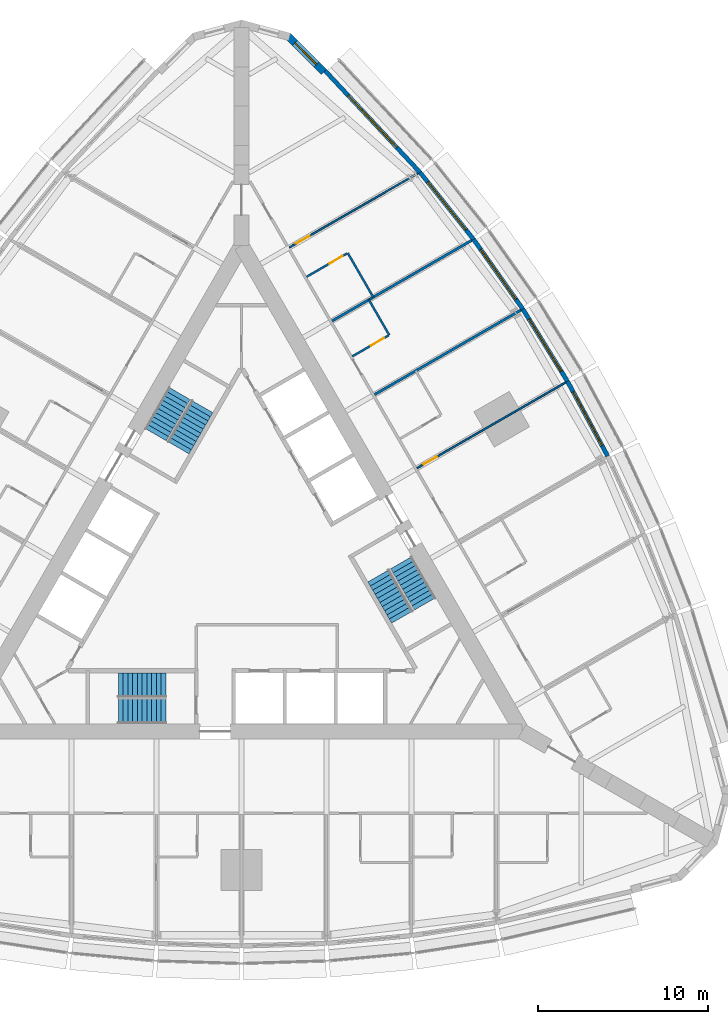
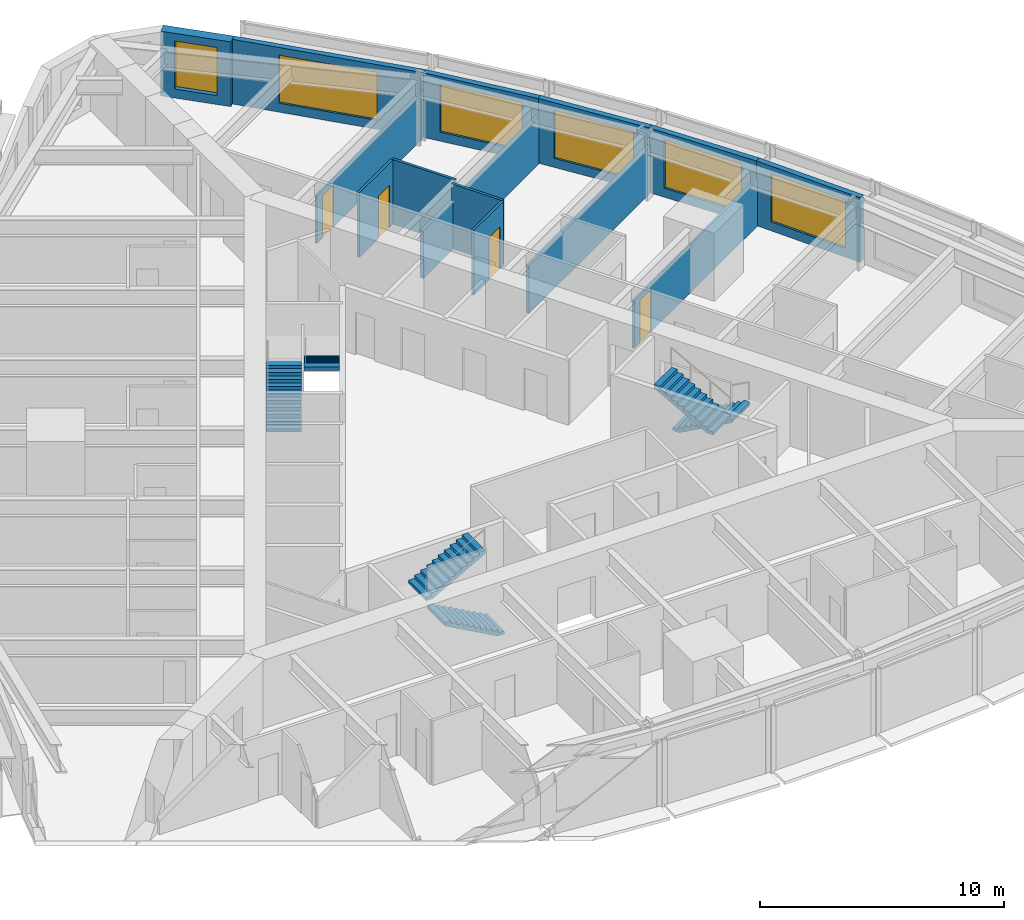
# One storey, part 13 of 14: 14 walls, 6 stair flights, 6 windows, 4 doors, 10 openings, 3 elements without a shape of their own.
"""IFC4 building model written with IfcOpenShell, lengths in metres."""

from ifc_helpers import new_model, si_unit, direction, frame, frame_2d, origin, place, context, subcontext, project, spatial, polyline, rectangle, outline, extrude, material, layer, layer_set, type_object, element, fill, aggregate, save


model = new_model("IFC4")

# Units and contexts
model_context = context("Model", 3, precision=1e-05, world=origin(), true_north=direction((0.0, 1.0)))
body_context = subcontext(model_context, "Body", "Model", "MODEL_VIEW")
ifc_project = project(units=[si_unit("LENGTHUNIT", "METRE"), si_unit("AREAUNIT", "SQUARE_METRE"), si_unit("VOLUMEUNIT", "CUBIC_METRE"), si_unit("PLANEANGLEUNIT", "RADIAN"), si_unit("MASSUNIT", "GRAM", prefix="KILO")], contexts=[model_context])

# Site, building, storey
site_placement = place(None, origin())
site = spatial("IfcSite", under=ifc_project, at=site_placement, CompositionType="ELEMENT")
building_placement = place(site_placement, origin())
building = spatial("IfcBuilding", under=site, at=building_placement, Name="Trikona Tower", CompositionType="ELEMENT")
storey_placement = place(building_placement, frame((0.0, 0.0, 69.300048828125)))
storey = spatial("IfcBuildingStorey", under=building, at=storey_placement, Name="L17", CompositionType="ELEMENT", Elevation=69.300048828125)

# Wall
ifc_material_1 = material(Name="Metal stud and cement board", Category="gypsum")
ifc_layer_1 = layer(ifc_material_1, 0.1201171875)
ifc_layer_set_1 = layer_set([ifc_layer_1], Name="Bathroom wall 120")
wall_type_1 = type_object("IfcWallType", Name="Bathroom wall 120", PredefinedType="PLUMBINGWALL", material=ifc_layer_set_1)
wall_1_placement = place(storey_placement, frame((8.693603515625, 13.794921875, 0.0), z_axis=(0.0, 0.0, 1.0), x_axis=(-0.500077600433, 0.865980596518, 0.0)))
element("IfcWall", 1, at=wall_1_placement, inside=storey, type_object=wall_type_1, Name="Bathroom wall 1710", PredefinedType="PLUMBINGWALL", context=body_context, shape_type="SweptSolid", body=[
    extrude(rectangle(XDim=2.39990234375, YDim=0.1201171875, at=frame_2d((1.199951171875, 0.0))), origin(), (0.0, 0.0, 1.0), 3.23486328125),
])

# Wall, opening, door
wall_2_placement = place(storey_placement, frame((6.528564453125, 12.544921875, 0.0), z_axis=(0.0, 0.0, 1.0), x_axis=(0.866023955769, 0.500002508028, 0.0)))
wall_2 = element("IfcWall", 2, at=wall_2_placement, inside=storey, type_object=wall_type_1, Name="Bathroom wall 1710", PredefinedType="PLUMBINGWALL", context=body_context, shape_type="SweptSolid", body=[
    extrude(rectangle(XDim=2.43994140625, YDim=0.1201171875, at=frame_2d((1.219970703125, 0.0))), origin(), (0.0, 0.0, 1.0), 3.23486328125),
])
opening_1_placement = place(wall_2_placement, frame((1.25, 0.0, 0.0)))
opening_1 = element("IfcOpeningElement", 3, at=opening_1_placement, cuts=wall_2, Name="Opening D2", PredefinedType="OPENING", context=body_context, shape_type="SweptSolid", body=[
    extrude(rectangle(XDim=0.89990234375, YDim=2.1298828125, at=frame_2d((0.449951171875, 1.06494140625))), frame((0.0, 0.070068359375, 0.0), z_axis=(0.0, -1.0, 0.0), x_axis=(1.0, 0.0, 0.0)), (0.0, 0.0, 1.0), 0.14013671875),
])
ifc_material_2 = material(Name="Steel door frame with solid-core timber leaf", Category="steel")
door_type_1 = type_object("IfcDoorType", Name="Bathroom door 900x2130", OperationType="SLIDING_TO_LEFT", PredefinedType="DOOR", material=ifc_material_2)
door_1_placement = place(opening_1_placement, origin())
door_1 = element("IfcDoor", 4, at=door_1_placement, inside=storey, type_object=door_type_1, Name="Bathroom door 1710", OperationType="SLIDING_TO_LEFT", OverallHeight=2.1298828125, OverallWidth=0.89990234375, PredefinedType="DOOR", context=body_context, shape_type="SweptSolid", body=[
    extrude(rectangle(XDim=0.89990234375, YDim=2.1298828125, at=frame_2d((0.449951171875, 1.06494140625))), frame((0.0, 0.02490234375, 0.0), z_axis=(0.0, -1.0, 0.0), x_axis=(1.0, 0.0, 0.0)), (0.0, 0.0, 1.0), 0.050048828125),
])
fill(opening_1, door_1)

# Wall
wall_3_placement = place(storey_placement, frame((7.75341796875, 16.0234375, 0.0), z_axis=(0.0, 0.0, 1.0), x_axis=(-0.499990139034, 0.866031096941, 0.0)))
element("IfcWall", 5, at=wall_3_placement, inside=storey, type_object=wall_type_1, Name="Bathroom wall 1711.1", PredefinedType="PLUMBINGWALL", context=body_context, shape_type="SweptSolid", body=[
    extrude(rectangle(XDim=3.0, YDim=0.1201171875, at=frame_2d((1.5, 0.0))), origin(), (0.0, 0.0, 1.0), 3.23486328125),
])

# Wall, opening, door
wall_4_placement = place(storey_placement, frame((3.82861328125, 17.221435546875, 0.0), z_axis=(0.0, 0.0, 1.0), x_axis=(0.865997131366, 0.500048966069, 0.0)))
wall_4 = element("IfcWall", 6, at=wall_4_placement, inside=storey, type_object=wall_type_1, Name="Bathroom wall 1711.1", PredefinedType="PLUMBINGWALL", context=body_context, shape_type="SweptSolid", body=[
    extrude(rectangle(XDim=2.739990234375, YDim=0.1201171875, at=frame_2d((1.3701171875, 0.0))), origin(), (0.0, 0.0, 1.0), 3.23486328125),
])
opening_2_placement = place(wall_4_placement, frame((1.550048828125, 0.0, 0.0)))
opening_2 = element("IfcOpeningElement", 7, at=opening_2_placement, cuts=wall_4, Name="Opening D2", PredefinedType="OPENING", context=body_context, shape_type="SweptSolid", body=[
    extrude(rectangle(XDim=0.89990234375, YDim=2.1298828125, at=frame_2d((0.449951171875, 1.06494140625))), frame((0.0, 0.070068359375, 0.0), z_axis=(0.0, -1.0, 0.0), x_axis=(1.0, 0.0, 0.0)), (0.0, 0.0, 1.0), 0.14013671875),
])
door_2_placement = place(opening_2_placement, origin())
door_2 = element("IfcDoor", 8, at=door_2_placement, inside=storey, type_object=door_type_1, Name="Bathroom door 1711.1", OperationType="SLIDING_TO_LEFT", OverallHeight=2.1298828125, OverallWidth=0.89990234375, PredefinedType="DOOR", context=body_context, shape_type="SweptSolid", body=[
    extrude(rectangle(XDim=0.89990234375, YDim=2.1298828125, at=frame_2d((0.449951171875, 1.06494140625))), frame((0.0, 0.02490234375, 0.0), z_axis=(0.0, -1.0, 0.0), x_axis=(1.0, 0.0, 0.0)), (0.0, 0.0, 1.0), 0.050048828125),
])
fill(opening_2, door_2)

# Wall, opening, window
ifc_material_3 = material(Name="Brick-faced precast concrete", Category="masonry")
ifc_layer_2 = layer(ifc_material_3, 0.449951171875)
ifc_layer_set_2 = layer_set([ifc_layer_2], Name="Brick-faced corner wall 450")
wall_type_2 = type_object("IfcWallType", Name="Brick-faced corner wall 450", PredefinedType="SOLIDWALL", material=ifc_layer_set_2)
wall_5_placement = place(storey_placement, frame((4.8408203125, 29.285888671875, 0.0), z_axis=(0.0, 0.0, 1.0), x_axis=(-0.707106781187, 0.707106781187, 0.0)))
wall_5 = element("IfcWall", 9, at=wall_5_placement, inside=storey, type_object=wall_type_2, Name="External wall L17-20", PredefinedType="SOLIDWALL", context=body_context, shape_type="SweptSolid", body=[
    extrude(rectangle(XDim=2.98828125, YDim=0.449951171875, at=frame_2d((1.494140625, 0.0))), origin(), (0.0, 0.0, 1.0), 3.23486328125),
])
opening_3_placement = place(wall_5_placement, frame((0.59423828125, 0.0, 0.449951171875)))
opening_3 = element("IfcOpeningElement", 10, at=opening_3_placement, cuts=wall_5, Name="Opening W1824", PredefinedType="OPENING", context=body_context, shape_type="SweptSolid", body=[
    extrude(rectangle(XDim=1.800048828125, YDim=2.39990234375, at=frame_2d((0.89990234375, 1.199951171875))), frame((0.0, 0.23486328125, 0.0), z_axis=(0.0, -1.0, 0.0), x_axis=(1.0, 0.0, 0.0)), (0.0, 0.0, 1.0), 0.469970703125),
])
ifc_material_4 = material(Name="Aluminium-framed double glazing", Category="aluminium")
window_type_1 = type_object("IfcWindowType", Name="Window 1800x2400", PartitioningType="SINGLE_PANEL", PredefinedType="WINDOW", material=ifc_material_4)
window_1_placement = place(opening_3_placement, origin())
window_1 = element("IfcWindow", 11, at=window_1_placement, inside=storey, type_object=window_type_1, Name="Window 1711", OverallHeight=2.39990234375, OverallWidth=1.800048828125, PartitioningType="SINGLE_PANEL", PredefinedType="WINDOW", context=body_context, shape_type="SweptSolid", body=[
    extrude(rectangle(XDim=1.800048828125, YDim=2.39990234375, at=frame_2d((0.89990234375, 1.199951171875))), frame((0.0, 0.030029296875, 0.0), z_axis=(0.0, -1.0, 0.0), x_axis=(1.0, 0.0, 0.0)), (0.0, 0.0, 1.0), 0.06005859375),
])
fill(opening_3, window_1)

ifc_material_5 = material(Name="Insulated precast concrete spandrel panel", Category="concrete")
ifc_layer_3 = layer(ifc_material_5, 0.25)
ifc_layer_set_3 = layer_set([ifc_layer_3], Name="Inner skin wall 250")
wall_type_3 = type_object("IfcWallType", Name="Inner skin wall 250", PredefinedType="STANDARD", material=ifc_layer_set_3)
wall_6_placement = place(storey_placement, frame((21.546630859375, 6.6708984375, 0.0), z_axis=(0.0, 0.0, 1.0), x_axis=(-0.473412820489, 0.880840678782, 0.0)))
wall_6 = element("IfcWall", 12, at=wall_6_placement, inside=storey, type_object=wall_type_3, Name="External wall L17-15", PredefinedType="STANDARD", context=body_context, shape_type="SweptSolid", body=[
    extrude(rectangle(XDim=5.00244140625, YDim=0.25, at=frame_2d((2.501220703125, 0.0))), origin(), (0.0, 0.0, 1.0), 3.23486328125),
])
opening_4_placement = place(wall_6_placement, frame((0.701171875, 0.0, 0.449951171875)))
opening_4 = element("IfcOpeningElement", 13, at=opening_4_placement, cuts=wall_6, Name="Opening W3624", PredefinedType="OPENING", context=body_context, shape_type="SweptSolid", body=[
    extrude(rectangle(XDim=3.60009765625, YDim=2.39990234375, at=frame_2d((1.800048828125, 1.199951171875))), frame((0.0, 0.135009765625, 0.0), z_axis=(0.0, -1.0, 0.0), x_axis=(1.0, 0.0, 0.0)), (0.0, 0.0, 1.0), 0.27001953125),
])
ifc_material_6 = material(Name="Aluminium-framed double glazing", Category="aluminium")
window_type_2 = type_object("IfcWindowType", Name="Window 3600x2400", PartitioningType="SINGLE_PANEL", PredefinedType="WINDOW", material=ifc_material_6)
window_2_placement = place(opening_4_placement, origin())
window_2 = element("IfcWindow", 14, at=window_2_placement, inside=storey, type_object=window_type_2, Name="Window 1709", OverallHeight=2.39990234375, OverallWidth=3.60009765625, PartitioningType="SINGLE_PANEL", PredefinedType="WINDOW", context=body_context, shape_type="SweptSolid", body=[
    extrude(rectangle(XDim=3.60009765625, YDim=2.39990234375, at=frame_2d((1.800048828125, 1.199951171875))), frame((0.0, 0.030029296875, 0.0), z_axis=(0.0, -1.0, 0.0), x_axis=(1.0, 0.0, 0.0)), (0.0, 0.0, 1.0), 0.06005859375),
])
fill(opening_4, window_2)

wall_7_placement = place(storey_placement, frame((19.182373046875, 11.070556640625, 0.0), z_axis=(0.0, 0.0, 1.0), x_axis=(-0.526132807704, 0.850402415717, 0.0)))
wall_7 = element("IfcWall", 15, at=wall_7_placement, inside=storey, type_object=wall_type_3, Name="External wall L17-16", PredefinedType="STANDARD", context=body_context, shape_type="SweptSolid", body=[
    extrude(rectangle(XDim=5.002197265625, YDim=0.25, at=frame_2d((2.5009765625, 0.0))), origin(), (0.0, 0.0, 1.0), 3.23486328125),
])
opening_5_placement = place(wall_7_placement, frame((0.701171875, 0.0, 0.449951171875)))
opening_5 = element("IfcOpeningElement", 16, at=opening_5_placement, cuts=wall_7, Name="Opening W3624", PredefinedType="OPENING", context=body_context, shape_type="SweptSolid", body=[
    extrude(rectangle(XDim=3.60009765625, YDim=2.39990234375, at=frame_2d((1.800048828125, 1.199951171875))), frame((0.0, 0.135009765625, 0.0), z_axis=(0.0, -1.0, 0.0), x_axis=(1.0, 0.0, 0.0)), (0.0, 0.0, 1.0), 0.27001953125),
])
window_3_placement = place(opening_5_placement, origin())
window_3 = element("IfcWindow", 17, at=window_3_placement, inside=storey, type_object=window_type_2, Name="Window 1709.1", OverallHeight=2.39990234375, OverallWidth=3.60009765625, PartitioningType="SINGLE_PANEL", PredefinedType="WINDOW", context=body_context, shape_type="SweptSolid", body=[
    extrude(rectangle(XDim=3.60009765625, YDim=2.39990234375, at=frame_2d((1.800048828125, 1.199951171875))), frame((0.0, 0.030029296875, 0.0), z_axis=(0.0, -1.0, 0.0), x_axis=(1.0, 0.0, 0.0)), (0.0, 0.0, 1.0), 0.06005859375),
])
fill(opening_5, window_3)

wall_8_placement = place(storey_placement, frame((16.5546875, 15.318115234375, 0.0), z_axis=(0.0, 0.0, 1.0), x_axis=(-0.5766431066, 0.81699616132, 0.0)))
wall_8 = element("IfcWall", 18, at=wall_8_placement, inside=storey, type_object=wall_type_3, Name="External wall L17-17", PredefinedType="STANDARD", context=body_context, shape_type="SweptSolid", body=[
    extrude(rectangle(XDim=5.02099609375, YDim=0.25, at=frame_2d((2.510498046875, 0.0))), origin(), (0.0, 0.0, 1.0), 3.23486328125),
])
opening_6_placement = place(wall_8_placement, frame((0.71044921875, 0.0, 0.449951171875)))
opening_6 = element("IfcOpeningElement", 19, at=opening_6_placement, cuts=wall_8, Name="Opening W3624", PredefinedType="OPENING", context=body_context, shape_type="SweptSolid", body=[
    extrude(rectangle(XDim=3.60009765625, YDim=2.39990234375, at=frame_2d((1.800048828125, 1.199951171875))), frame((0.0, 0.135009765625, 0.0), z_axis=(0.0, -1.0, 0.0), x_axis=(1.0, 0.0, 0.0)), (0.0, 0.0, 1.0), 0.27001953125),
])
window_4_placement = place(opening_6_placement, origin())
window_4 = element("IfcWindow", 20, at=window_4_placement, inside=storey, type_object=window_type_2, Name="Window 1710", OverallHeight=2.39990234375, OverallWidth=3.60009765625, PartitioningType="SINGLE_PANEL", PredefinedType="WINDOW", context=body_context, shape_type="SweptSolid", body=[
    extrude(rectangle(XDim=3.60009765625, YDim=2.39990234375, at=frame_2d((1.800048828125, 1.199951171875))), frame((0.0, 0.030029296875, 0.0), z_axis=(0.0, -1.0, 0.0), x_axis=(1.0, 0.0, 0.0)), (0.0, 0.0, 1.0), 0.06005859375),
])
fill(opening_6, window_4)

wall_9_placement = place(storey_placement, frame((13.663818359375, 19.4140625, 0.0), z_axis=(0.0, 0.0, 1.0), x_axis=(-0.624594965756, 0.780948864364, 0.0)))
wall_9 = element("IfcWall", 21, at=wall_9_placement, inside=storey, type_object=wall_type_3, Name="External wall L17-18", PredefinedType="STANDARD", context=body_context, shape_type="SweptSolid", body=[
    extrude(rectangle(XDim=5.0576171875, YDim=0.25, at=frame_2d((2.52880859375, 0.0))), origin(), (0.0, 0.0, 1.0), 3.23486328125),
])
opening_7_placement = place(wall_9_placement, frame((0.728759765625, 0.0, 0.449951171875)))
opening_7 = element("IfcOpeningElement", 22, at=opening_7_placement, cuts=wall_9, Name="Opening W3624", PredefinedType="OPENING", context=body_context, shape_type="SweptSolid", body=[
    extrude(rectangle(XDim=3.60009765625, YDim=2.39990234375, at=frame_2d((1.800048828125, 1.199951171875))), frame((0.0, 0.135009765625, 0.0), z_axis=(0.0, -1.0, 0.0), x_axis=(1.0, 0.0, 0.0)), (0.0, 0.0, 1.0), 0.27001953125),
])
window_5_placement = place(opening_7_placement, origin())
window_5 = element("IfcWindow", 23, at=window_5_placement, inside=storey, type_object=window_type_2, Name="Window 1711.1", OverallHeight=2.39990234375, OverallWidth=3.60009765625, PartitioningType="SINGLE_PANEL", PredefinedType="WINDOW", context=body_context, shape_type="SweptSolid", body=[
    extrude(rectangle(XDim=3.60009765625, YDim=2.39990234375, at=frame_2d((1.800048828125, 1.199951171875))), frame((0.0, 0.030029296875, 0.0), z_axis=(0.0, -1.0, 0.0), x_axis=(1.0, 0.0, 0.0)), (0.0, 0.0, 1.0), 0.06005859375),
])
fill(opening_7, window_5)

wall_10_placement = place(storey_placement, frame((10.510986328125, 23.356689453125, 0.0), z_axis=(0.0, 0.0, 1.0), x_axis=(-0.682289646561, 0.731081964075, 0.0)))
wall_10 = element("IfcWall", 24, at=wall_10_placement, inside=storey, type_object=wall_type_3, Name="External wall L17-19", PredefinedType="STANDARD", context=body_context, shape_type="SweptSolid", body=[
    extrude(rectangle(XDim=8.2109375, YDim=0.25, at=frame_2d((4.10546875, 0.0))), origin(), (0.0, 0.0, 1.0), 3.23486328125),
])
opening_8_placement = place(wall_10_placement, frame((2.005615234375, 0.0, 0.449951171875)))
opening_8 = element("IfcOpeningElement", 25, at=opening_8_placement, cuts=wall_10, Name="Opening W4224", PredefinedType="OPENING", context=body_context, shape_type="SweptSolid", body=[
    extrude(rectangle(XDim=4.199951171875, YDim=2.39990234375, at=frame_2d((2.10009765625, 1.199951171875))), frame((0.0, 0.135009765625, 0.0), z_axis=(0.0, -1.0, 0.0), x_axis=(1.0, 0.0, 0.0)), (0.0, 0.0, 1.0), 0.27001953125),
])
ifc_material_7 = material(Name="Aluminium-framed double glazing", Category="aluminium")
window_type_3 = type_object("IfcWindowType", Name="Window 4200x2400", PartitioningType="SINGLE_PANEL", PredefinedType="WINDOW", material=ifc_material_7)
window_6_placement = place(opening_8_placement, origin())
window_6 = element("IfcWindow", 26, at=window_6_placement, inside=storey, type_object=window_type_3, Name="Window 1711", OverallHeight=2.39990234375, OverallWidth=4.199951171875, PartitioningType="SINGLE_PANEL", PredefinedType="WINDOW", context=body_context, shape_type="SweptSolid", body=[
    extrude(rectangle(XDim=4.199951171875, YDim=2.39990234375, at=frame_2d((2.10009765625, 1.199951171875))), frame((0.0, 0.030029296875, 0.0), z_axis=(0.0, -1.0, 0.0), x_axis=(1.0, 0.0, 0.0)), (0.0, 0.0, 1.0), 0.06005859375),
])
fill(opening_8, window_6)

# Walls
ifc_material_8 = material(Name="Metal stud and gypsum board, 1-hour acoustic", Category="gypsum")
ifc_layer_4 = layer(ifc_material_8, 0.14990234375)
ifc_layer_set_4 = layer_set([ifc_layer_4], Name="Party wall 150")
wall_type_4 = type_object("IfcWallType", Name="Party wall 150", PredefinedType="PARTITIONING", material=ifc_layer_set_4)
wall_11_placement = place(storey_placement, frame((7.82861328125, 10.293212890625, 0.0), z_axis=(0.0, 0.0, 1.0), x_axis=(0.866016302457, 0.50001576363, 0.0)))
element("IfcWall", 27, at=wall_11_placement, inside=storey, type_object=wall_type_4, Name="Partition L17 F2 u5", PredefinedType="PARTITIONING", context=body_context, shape_type="SweptSolid", body=[
    extrude(rectangle(XDim=9.943115234375, YDim=0.14990234375, at=frame_2d((4.9716796875, 0.0))), origin(), (0.0, 0.0, 1.0), 2.38916015625),
])
wall_12_placement = place(storey_placement, frame((5.32861328125, 14.623291015625, 0.0), z_axis=(0.0, 0.0, 1.0), x_axis=(0.866018409083, 0.500012114982, 0.0)))
element("IfcWall", 28, at=wall_12_placement, inside=storey, type_object=wall_type_4, Name="Partition L17 F2 u10", PredefinedType="PARTITIONING", context=body_context, shape_type="SweptSolid", body=[
    extrude(rectangle(XDim=9.484619140625, YDim=0.14990234375, at=frame_2d((4.7421875, 0.0))), origin(), (0.0, 0.0, 1.0), 2.38916015625),
])

# Wall, opening, door
ifc_material_9 = material(Name="Metal stud and gypsum board, acoustic", Category="gypsum")
ifc_layer_5 = layer(ifc_material_9, 0.10009765625)
ifc_layer_set_5 = layer_set([ifc_layer_5], Name="Suite partition 100")
wall_type_5 = type_object("IfcWallType", Name="Suite partition 100", PredefinedType="PARTITIONING", material=ifc_layer_set_5)
wall_13_placement = place(storey_placement, frame((10.32861328125, 5.963134765625, 0.0), z_axis=(0.0, 0.0, 1.0), x_axis=(0.866021688545, 0.500006434927, 0.0)))
wall_13 = element("IfcWall", 29, at=wall_13_placement, inside=storey, type_object=wall_type_5, Name="Suite partition L17 F2 u0", PredefinedType="PARTITIONING", context=body_context, shape_type="SweptSolid", body=[
    extrude(rectangle(XDim=10.095947265625, YDim=0.10009765625, at=frame_2d((5.0478515625, 0.0))), origin(), (0.0, 0.0, 1.0), 2.38916015625),
])
opening_9_placement = place(wall_13_placement, frame((0.449951171875, 0.0, 0.0)))
opening_9 = element("IfcOpeningElement", 30, at=opening_9_placement, cuts=wall_13, Name="Opening D13", PredefinedType="OPENING", context=body_context, shape_type="SweptSolid", body=[
    extrude(rectangle(XDim=0.89990234375, YDim=2.1298828125, at=frame_2d((0.449951171875, 1.06494140625))), frame((0.0, 0.06005859375, 0.0), z_axis=(0.0, -1.0, 0.0), x_axis=(1.0, 0.0, 0.0)), (0.0, 0.0, 1.0), 0.1201171875),
])
ifc_material_10 = material(Name="Steel door frame with solid-core timber leaf", Category="steel")
door_type_2 = type_object("IfcDoorType", Name="Suite door 900x2130", OperationType="SINGLE_SWING_LEFT", PredefinedType="DOOR", material=ifc_material_10)
door_3_placement = place(opening_9_placement, origin())
door_3 = element("IfcDoor", 31, at=door_3_placement, inside=storey, type_object=door_type_2, Name="Suite door 1709", OperationType="SINGLE_SWING_LEFT", OverallHeight=2.1298828125, OverallWidth=0.89990234375, PredefinedType="DOOR", context=body_context, shape_type="SweptSolid", body=[
    extrude(rectangle(XDim=0.89990234375, YDim=2.1298828125, at=frame_2d((0.449951171875, 1.06494140625))), frame((0.0, 0.02490234375, 0.0), z_axis=(0.0, -1.0, 0.0), x_axis=(1.0, 0.0, 0.0)), (0.0, 0.0, 1.0), 0.050048828125),
])
fill(opening_9, door_3)

wall_14_placement = place(storey_placement, frame((2.82861328125, 18.95361328125, 0.0), z_axis=(0.0, 0.0, 1.0), x_axis=(0.866020536561, 0.500008430184, 0.0)))
wall_14 = element("IfcWall", 32, at=wall_14_placement, inside=storey, type_object=wall_type_5, Name="Suite partition L17 F2 u15", PredefinedType="PARTITIONING", context=body_context, shape_type="SweptSolid", body=[
    extrude(rectangle(XDim=8.719970703125, YDim=0.10009765625, at=frame_2d((4.35986328125, 0.0))), origin(), (0.0, 0.0, 1.0), 2.38916015625),
])
opening_10_placement = place(wall_14_placement, frame((0.449951171875, 0.0, 0.0)))
opening_10 = element("IfcOpeningElement", 33, at=opening_10_placement, cuts=wall_14, Name="Opening D13", PredefinedType="OPENING", context=body_context, shape_type="SweptSolid", body=[
    extrude(rectangle(XDim=0.89990234375, YDim=2.1298828125, at=frame_2d((0.449951171875, 1.06494140625))), frame((0.0, 0.06005859375, 0.0), z_axis=(0.0, -1.0, 0.0), x_axis=(1.0, 0.0, 0.0)), (0.0, 0.0, 1.0), 0.1201171875),
])
door_4_placement = place(opening_10_placement, origin())
door_4 = element("IfcDoor", 34, at=door_4_placement, inside=storey, type_object=door_type_2, Name="Suite door 1711", OperationType="SINGLE_SWING_LEFT", OverallHeight=2.1298828125, OverallWidth=0.89990234375, PredefinedType="DOOR", context=body_context, shape_type="SweptSolid", body=[
    extrude(rectangle(XDim=0.89990234375, YDim=2.1298828125, at=frame_2d((0.449951171875, 1.06494140625))), frame((0.0, 0.02490234375, 0.0), z_axis=(0.0, -1.0, 0.0), x_axis=(1.0, 0.0, 0.0)), (0.0, 0.0, 1.0), 0.050048828125),
])
fill(opening_10, door_4)

# Stair, stair flights
ifc_material_11 = material(Name="Concrete f'c 5000 psi", Category="concrete")
stair_type = type_object("IfcStairType", Name="Core stair", PredefinedType="HALF_TURN_STAIR", material=ifc_material_11)
stair_1_placement = place(storey_placement, origin())
stair_1 = element("IfcStair", 35, at=stair_1_placement, inside=storey, type_object=stair_type, Name="Stair A L17", PredefinedType="HALF_TURN_STAIR")
ifc_material_12 = material(Name="Concrete f'c 5000 psi", Category="concrete")
stair_flight_type = type_object("IfcStairFlightType", Name="Core stair flight 1450", PredefinedType="STRAIGHT", material=ifc_material_12)
stair_flight_1_placement = place(storey_placement, frame((-4.449951171875, -8.351318359375, 0.0), z_axis=(0.0, 0.0, 1.0), x_axis=(-1.0, 0.0, 0.0)))
stair_flight_1 = element("IfcStairFlight", 36, at=stair_flight_1_placement, type_object=stair_flight_type, Name="ST-A flight 1", NumberOfRisers=11, NumberOfTreads=10, PredefinedType="STRAIGHT", RiserHeight=0.154545, TreadLength=0.28, context=body_context, shape_type="SweptSolid", body=[
    extrude(outline(polyline([(0.0, 0.0), (0.0, 0.154541015625), (0.280029296875, 0.154541015625), (0.280029296875, 0.30908203125), (0.56005859375, 0.30908203125), (0.56005859375, 0.463623046875), (0.840087890625, 0.463623046875), (0.840087890625, 0.6181640625), (1.1201171875, 0.6181640625), (1.1201171875, 0.772705078125), (1.39990234375, 0.772705078125), (1.39990234375, 0.92724609375), (1.679931640625, 0.92724609375), (1.679931640625, 1.081787109375), (1.9599609375, 1.081787109375), (1.9599609375, 1.236328125), (2.239990234375, 1.236328125), (2.239990234375, 1.390869140625), (2.52001953125, 1.390869140625), (2.52001953125, 1.54541015625), (2.800048828125, 1.54541015625), (2.800048828125, 1.699951171875), (2.800048828125, 1.374267578125), (0.310302734375, 0.0), (0.0, 0.0)])), frame((0.0, 0.72509765625, 0.0), z_axis=(0.0, -1.0, 0.0), x_axis=(1.0, 0.0, 0.0)), (0.0, 0.0, 1.0), 1.449951171875),
])
stair_flight_2_placement = place(storey_placement, frame((-7.25, -6.80126953125, 1.699951171875), z_axis=(0.0, 0.0, 1.0), x_axis=(1.0, 0.0, 0.0)))
stair_flight_2 = element("IfcStairFlight", 37, at=stair_flight_2_placement, type_object=stair_flight_type, Name="ST-A flight 2", NumberOfRisers=11, NumberOfTreads=10, PredefinedType="STRAIGHT", RiserHeight=0.154545, TreadLength=0.28, context=body_context, shape_type="SweptSolid", body=[
    extrude(outline(polyline([(0.0, 0.0), (0.0, 0.154541015625), (0.280029296875, 0.154541015625), (0.280029296875, 0.30908203125), (0.56005859375, 0.30908203125), (0.56005859375, 0.463623046875), (0.840087890625, 0.463623046875), (0.840087890625, 0.6181640625), (1.1201171875, 0.6181640625), (1.1201171875, 0.772705078125), (1.39990234375, 0.772705078125), (1.39990234375, 0.92724609375), (1.679931640625, 0.92724609375), (1.679931640625, 1.081787109375), (1.9599609375, 1.081787109375), (1.9599609375, 1.236328125), (2.239990234375, 1.236328125), (2.239990234375, 1.390869140625), (2.52001953125, 1.390869140625), (2.52001953125, 1.54541015625), (2.800048828125, 1.54541015625), (2.800048828125, 1.699951171875), (2.800048828125, 1.374267578125), (0.310302734375, 0.0), (0.0, 0.0)])), frame((0.0, 0.72509765625, 0.0), z_axis=(0.0, -1.0, 0.0), x_axis=(1.0, 0.0, 0.0)), (0.0, 0.0, 1.0), 1.449951171875),
])
aggregate(stair_1, [stair_flight_1, stair_flight_2])

stair_2_placement = place(storey_placement, origin())
stair_2 = element("IfcStair", 38, at=stair_2_placement, inside=storey, type_object=stair_type, Name="Stair B L17", PredefinedType="HALF_TURN_STAIR")
stair_flight_3_placement = place(storey_placement, frame((9.407470703125, 0.408447265625, 0.0), z_axis=(0.0, 0.0, 1.0), x_axis=(0.5, -0.866025403784, 0.0)))
stair_flight_3 = element("IfcStairFlight", 39, at=stair_flight_3_placement, type_object=stair_flight_type, Name="ST-B flight 1", NumberOfRisers=11, NumberOfTreads=10, PredefinedType="STRAIGHT", RiserHeight=0.154545, TreadLength=0.28, context=body_context, shape_type="SweptSolid", body=[
    extrude(outline(polyline([(0.0, 0.0), (0.0, 0.154541015625), (0.280029296875, 0.154541015625), (0.280029296875, 0.30908203125), (0.56005859375, 0.30908203125), (0.56005859375, 0.463623046875), (0.840087890625, 0.463623046875), (0.840087890625, 0.6181640625), (1.1201171875, 0.6181640625), (1.1201171875, 0.772705078125), (1.39990234375, 0.772705078125), (1.39990234375, 0.92724609375), (1.679931640625, 0.92724609375), (1.679931640625, 1.081787109375), (1.9599609375, 1.081787109375), (1.9599609375, 1.236328125), (2.239990234375, 1.236328125), (2.239990234375, 1.390869140625), (2.52001953125, 1.390869140625), (2.52001953125, 1.54541015625), (2.800048828125, 1.54541015625), (2.800048828125, 1.699951171875), (2.800048828125, 1.374267578125), (0.310302734375, 0.0), (0.0, 0.0)])), frame((0.0, 0.72509765625, 0.0), z_axis=(0.0, -1.0, 0.0), x_axis=(1.0, 0.0, 0.0)), (0.0, 0.0, 1.0), 1.449951171875),
])
stair_flight_4_placement = place(storey_placement, frame((9.465087890625, -2.79150390625, 1.699951171875), z_axis=(0.0, 0.0, 1.0), x_axis=(-0.5, 0.866025403784, 0.0)))
stair_flight_4 = element("IfcStairFlight", 40, at=stair_flight_4_placement, type_object=stair_flight_type, Name="ST-B flight 2", NumberOfRisers=11, NumberOfTreads=10, PredefinedType="STRAIGHT", RiserHeight=0.154545, TreadLength=0.28, context=body_context, shape_type="SweptSolid", body=[
    extrude(outline(polyline([(0.0, 0.0), (0.0, 0.154541015625), (0.280029296875, 0.154541015625), (0.280029296875, 0.30908203125), (0.56005859375, 0.30908203125), (0.56005859375, 0.463623046875), (0.840087890625, 0.463623046875), (0.840087890625, 0.6181640625), (1.1201171875, 0.6181640625), (1.1201171875, 0.772705078125), (1.39990234375, 0.772705078125), (1.39990234375, 0.92724609375), (1.679931640625, 0.92724609375), (1.679931640625, 1.081787109375), (1.9599609375, 1.081787109375), (1.9599609375, 1.236328125), (2.239990234375, 1.236328125), (2.239990234375, 1.390869140625), (2.52001953125, 1.390869140625), (2.52001953125, 1.54541015625), (2.800048828125, 1.54541015625), (2.800048828125, 1.699951171875), (2.800048828125, 1.374267578125), (0.310302734375, 0.0), (0.0, 0.0)])), frame((0.0, 0.72509765625, 0.0), z_axis=(0.0, -1.0, 0.0), x_axis=(1.0, 0.0, 0.0)), (0.0, 0.0, 1.0), 1.449951171875),
])
aggregate(stair_2, [stair_flight_3, stair_flight_4])

stair_3_placement = place(storey_placement, origin())
stair_3 = element("IfcStair", 41, at=stair_3_placement, inside=storey, type_object=stair_type, Name="Stair C L17", PredefinedType="HALF_TURN_STAIR")
stair_flight_5_placement = place(storey_placement, frame((-5.057373046875, 7.94287109375, 0.0), z_axis=(0.0, 0.0, 1.0), x_axis=(0.5, 0.866025403784, 0.0)))
stair_flight_5 = element("IfcStairFlight", 42, at=stair_flight_5_placement, type_object=stair_flight_type, Name="ST-C flight 1", NumberOfRisers=11, NumberOfTreads=10, PredefinedType="STRAIGHT", RiserHeight=0.154545, TreadLength=0.28, context=body_context, shape_type="SweptSolid", body=[
    extrude(outline(polyline([(0.0, 0.0), (0.0, 0.154541015625), (0.280029296875, 0.154541015625), (0.280029296875, 0.30908203125), (0.56005859375, 0.30908203125), (0.56005859375, 0.463623046875), (0.840087890625, 0.463623046875), (0.840087890625, 0.6181640625), (1.1201171875, 0.6181640625), (1.1201171875, 0.772705078125), (1.39990234375, 0.772705078125), (1.39990234375, 0.92724609375), (1.679931640625, 0.92724609375), (1.679931640625, 1.081787109375), (1.9599609375, 1.081787109375), (1.9599609375, 1.236328125), (2.239990234375, 1.236328125), (2.239990234375, 1.390869140625), (2.52001953125, 1.390869140625), (2.52001953125, 1.54541015625), (2.800048828125, 1.54541015625), (2.800048828125, 1.699951171875), (2.800048828125, 1.374267578125), (0.310302734375, 0.0), (0.0, 0.0)])), frame((0.0, 0.72509765625, 0.0), z_axis=(0.0, -1.0, 0.0), x_axis=(1.0, 0.0, 0.0)), (0.0, 0.0, 1.0), 1.449951171875),
])
stair_flight_6_placement = place(storey_placement, frame((-2.315185546875, 9.5927734375, 1.699951171875), z_axis=(0.0, 0.0, 1.0), x_axis=(-0.5, -0.866025403784, 0.0)))
stair_flight_6 = element("IfcStairFlight", 43, at=stair_flight_6_placement, type_object=stair_flight_type, Name="ST-C flight 2", NumberOfRisers=11, NumberOfTreads=10, PredefinedType="STRAIGHT", RiserHeight=0.154545, TreadLength=0.28, context=body_context, shape_type="SweptSolid", body=[
    extrude(outline(polyline([(0.0, 0.0), (0.0, 0.154541015625), (0.280029296875, 0.154541015625), (0.280029296875, 0.30908203125), (0.56005859375, 0.30908203125), (0.56005859375, 0.463623046875), (0.840087890625, 0.463623046875), (0.840087890625, 0.6181640625), (1.1201171875, 0.6181640625), (1.1201171875, 0.772705078125), (1.39990234375, 0.772705078125), (1.39990234375, 0.92724609375), (1.679931640625, 0.92724609375), (1.679931640625, 1.081787109375), (1.9599609375, 1.081787109375), (1.9599609375, 1.236328125), (2.239990234375, 1.236328125), (2.239990234375, 1.390869140625), (2.52001953125, 1.390869140625), (2.52001953125, 1.54541015625), (2.800048828125, 1.54541015625), (2.800048828125, 1.699951171875), (2.800048828125, 1.374267578125), (0.310302734375, 0.0), (0.0, 0.0)])), frame((0.0, 0.72509765625, 0.0), z_axis=(0.0, -1.0, 0.0), x_axis=(1.0, 0.0, 0.0)), (0.0, 0.0, 1.0), 1.449951171875),
])
aggregate(stair_3, [stair_flight_5, stair_flight_6])

save(model, "model.ifc")
